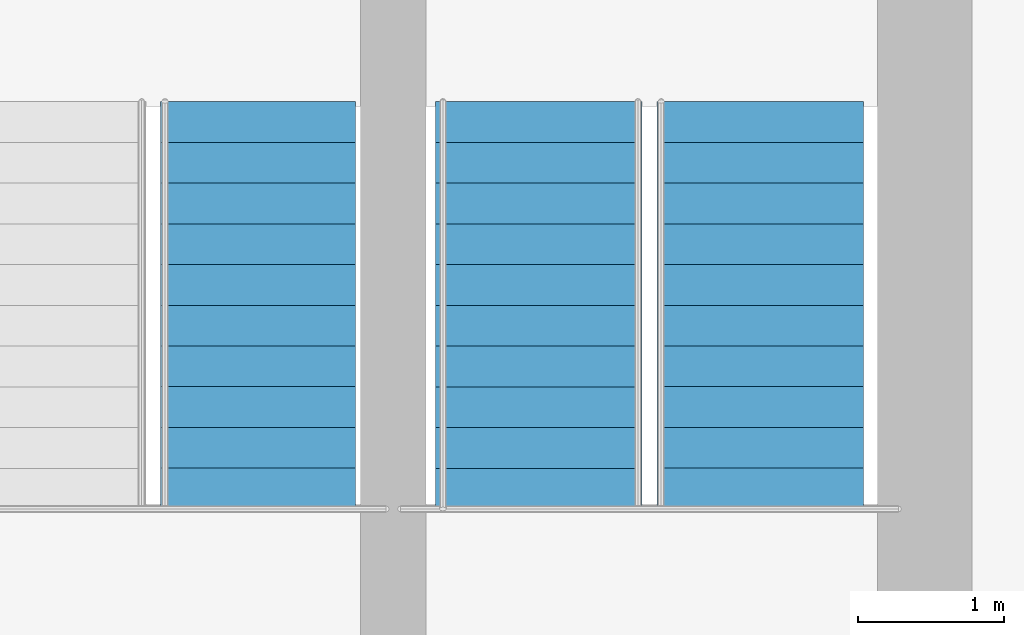
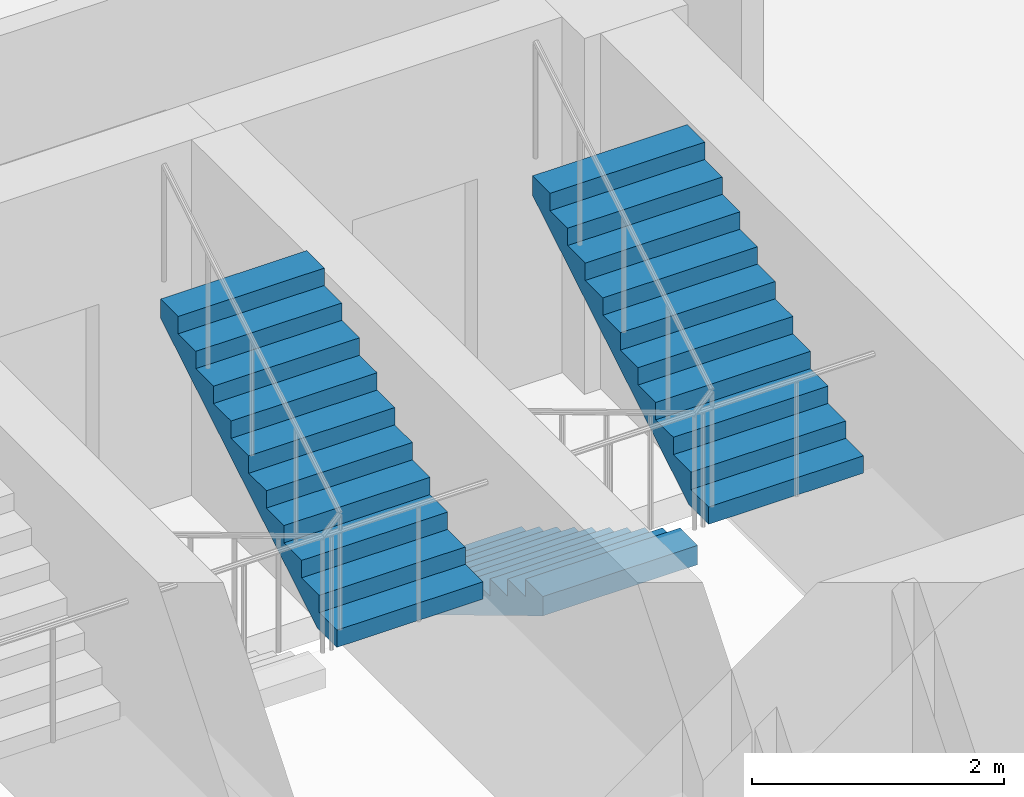
# One storey, part 25 of 26: 3 stair flights, 2 elements without a shape of their own.
"""IFC4 building model written with IfcOpenShell, lengths in metres."""

from ifc_helpers import new_model, si_unit, direction, frame, origin, place, context, subcontext, project, spatial, polyline, outline, extrude, material, type_object, element, aggregate, save


model = new_model("IFC4")

# Units and contexts
model_context = context("Model", 3, precision=1e-05, world=origin(), true_north=direction((0.0, 1.0)))
body_context = subcontext(model_context, "Body", "Model", "MODEL_VIEW")
ifc_project = project(units=[si_unit("LENGTHUNIT", "METRE"), si_unit("AREAUNIT", "SQUARE_METRE"), si_unit("VOLUMEUNIT", "CUBIC_METRE"), si_unit("PLANEANGLEUNIT", "RADIAN"), si_unit("MASSUNIT", "GRAM", prefix="KILO")], contexts=[model_context])

# Site, building, storey
site_placement = place(None, origin())
site = spatial("IfcSite", under=ifc_project, at=site_placement, CompositionType="ELEMENT")
building_placement = place(site_placement, origin())
building = spatial("IfcBuilding", under=site, at=building_placement, Name="Nuhasar Tower", CompositionType="ELEMENT")
storey_placement = place(building_placement, frame((0.0, 0.0, 181.14990234375)))
storey = spatial("IfcBuildingStorey", under=building, at=storey_placement, Name="L44", CompositionType="ELEMENT", Elevation=181.14990234375)

# Stair, stair flights
ifc_material = material(Name="Concrete C45/55", Category="concrete")
stair_type_1 = type_object("IfcStairType", Name="STR-ST-02-2F-22R-1682", PredefinedType="HALF_TURN_STAIR", material=ifc_material)
stair_1_placement = place(storey_placement, origin())
stair_1 = element("IfcStair", 1, at=stair_1_placement, inside=storey, type_object=stair_type_1, Name="L44 Exit Stair ST-02", PredefinedType="HALF_TURN_STAIR")
stair_flight_type_1 = type_object("IfcStairFlightType", Name="SFL-ST-02-11R-1682", PredefinedType="STRAIGHT", material=ifc_material)
stair_flight_1_placement = place(storey_placement, frame((41.64990234375, 35.284912109375, 0.0), z_axis=(0.0, 0.0, 1.0), x_axis=(0.0, -1.0, 0.0)))
stair_flight_1 = element("IfcStairFlight", 2, at=stair_flight_1_placement, type_object=stair_flight_type_1, Name="ST-02 flight 1", NumberOfRisers=11, NumberOfTreads=10, PredefinedType="STRAIGHT", RiserHeight=0.168182, TreadLength=0.28, context=body_context, shape_type="SweptSolid", body=[
    extrude(outline(polyline([(0.0, 0.0), (0.0, 0.168212890625), (0.280029296875, 0.168212890625), (0.280029296875, 0.33642578125), (0.56005859375, 0.33642578125), (0.56005859375, 0.504638671875), (0.840087890625, 0.504638671875), (0.840087890625, 0.672607421875), (1.1201171875, 0.672607421875), (1.1201171875, 0.8408203125), (1.39990234375, 0.8408203125), (1.39990234375, 1.009033203125), (1.679931640625, 1.009033203125), (1.679931640625, 1.17724609375), (1.9599609375, 1.17724609375), (1.9599609375, 1.345458984375), (2.239990234375, 1.345458984375), (2.239990234375, 1.513671875), (2.52001953125, 1.513671875), (2.52001953125, 1.681884765625), (2.800048828125, 1.681884765625), (2.800048828125, 1.85009765625), (2.800048828125, 1.495361328125), (0.310546875, 0.0), (0.0, 0.0)])), frame((0.0, 0.7099609375, 0.0), z_axis=(0.0, -1.0, 0.0), x_axis=(1.0, 0.0, 0.0)), (0.0, 0.0, 1.0), 1.419921875),
])
stair_flight_2_placement = place(storey_placement, frame((43.169921875, 32.485107421875, 1.85009765625), z_axis=(0.0, 0.0, 1.0), x_axis=(0.0, 1.0, 0.0)))
stair_flight_2 = element("IfcStairFlight", 3, at=stair_flight_2_placement, type_object=stair_flight_type_1, Name="ST-02 flight 2", NumberOfRisers=11, NumberOfTreads=10, PredefinedType="STRAIGHT", RiserHeight=0.168182, TreadLength=0.28, context=body_context, shape_type="SweptSolid", body=[
    extrude(outline(polyline([(0.0, 0.0), (0.0, 0.168212890625), (0.280029296875, 0.168212890625), (0.280029296875, 0.33642578125), (0.56005859375, 0.33642578125), (0.56005859375, 0.504638671875), (0.840087890625, 0.504638671875), (0.840087890625, 0.672607421875), (1.1201171875, 0.672607421875), (1.1201171875, 0.8408203125), (1.39990234375, 0.8408203125), (1.39990234375, 1.009033203125), (1.679931640625, 1.009033203125), (1.679931640625, 1.17724609375), (1.9599609375, 1.17724609375), (1.9599609375, 1.345458984375), (2.239990234375, 1.345458984375), (2.239990234375, 1.513671875), (2.52001953125, 1.513671875), (2.52001953125, 1.681884765625), (2.800048828125, 1.681884765625), (2.800048828125, 1.85009765625), (2.800048828125, 1.495361328125), (0.310546875, 0.0), (0.0, 0.0)])), frame((0.0, 0.7099609375, 0.0), z_axis=(0.0, -1.0, 0.0), x_axis=(1.0, 0.0, 0.0)), (0.0, 0.0, 1.0), 1.419921875),
])
aggregate(stair_1, [stair_flight_1, stair_flight_2])

# Stair, stair flight
stair_type_2 = type_object("IfcStairType", Name="STR-ST-03-2F-22R-1682", PredefinedType="HALF_TURN_STAIR", material=ifc_material)
stair_2_placement = place(storey_placement, origin())
stair_2 = element("IfcStair", 4, at=stair_2_placement, inside=storey, type_object=stair_type_2, Name="L44 Exit Stair ST-03", PredefinedType="HALF_TURN_STAIR")
stair_flight_type_2 = type_object("IfcStairFlightType", Name="SFL-ST-03-11R-1682", PredefinedType="STRAIGHT", material=ifc_material)
stair_flight_3_placement = place(storey_placement, frame((39.719970703125, 32.485107421875, 1.85009765625), z_axis=(0.0, 0.0, 1.0), x_axis=(0.0, 1.0, 0.0)))
stair_flight_3 = element("IfcStairFlight", 5, at=stair_flight_3_placement, type_object=stair_flight_type_2, Name="ST-03 flight 2", NumberOfRisers=11, NumberOfTreads=10, PredefinedType="STRAIGHT", RiserHeight=0.168182, TreadLength=0.28, context=body_context, shape_type="SweptSolid", body=[
    extrude(outline(polyline([(0.0, 0.0), (0.0, 0.168212890625), (0.280029296875, 0.168212890625), (0.280029296875, 0.33642578125), (0.56005859375, 0.33642578125), (0.56005859375, 0.504638671875), (0.840087890625, 0.504638671875), (0.840087890625, 0.672607421875), (1.1201171875, 0.672607421875), (1.1201171875, 0.8408203125), (1.39990234375, 0.8408203125), (1.39990234375, 1.009033203125), (1.679931640625, 1.009033203125), (1.679931640625, 1.17724609375), (1.9599609375, 1.17724609375), (1.9599609375, 1.345458984375), (2.239990234375, 1.345458984375), (2.239990234375, 1.513671875), (2.52001953125, 1.513671875), (2.52001953125, 1.681884765625), (2.800048828125, 1.681884765625), (2.800048828125, 1.85009765625), (2.800048828125, 1.495361328125), (0.310546875, 0.0), (0.0, 0.0)])), frame((0.0, 0.669921875, 0.0), z_axis=(0.0, -1.0, 0.0), x_axis=(1.0, 0.0, 0.0)), (0.0, 0.0, 1.0), 1.340087890625),
])
aggregate(stair_2, [stair_flight_3])

save(model, "model.ifc")
